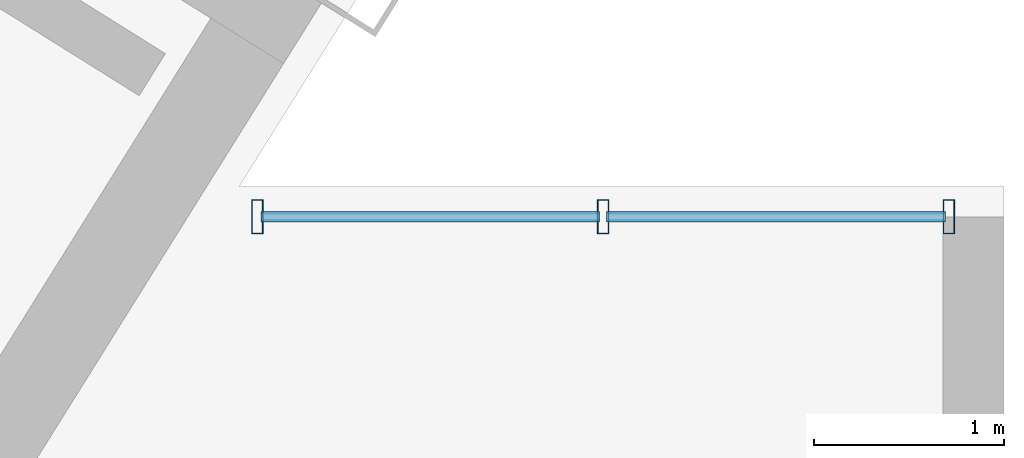
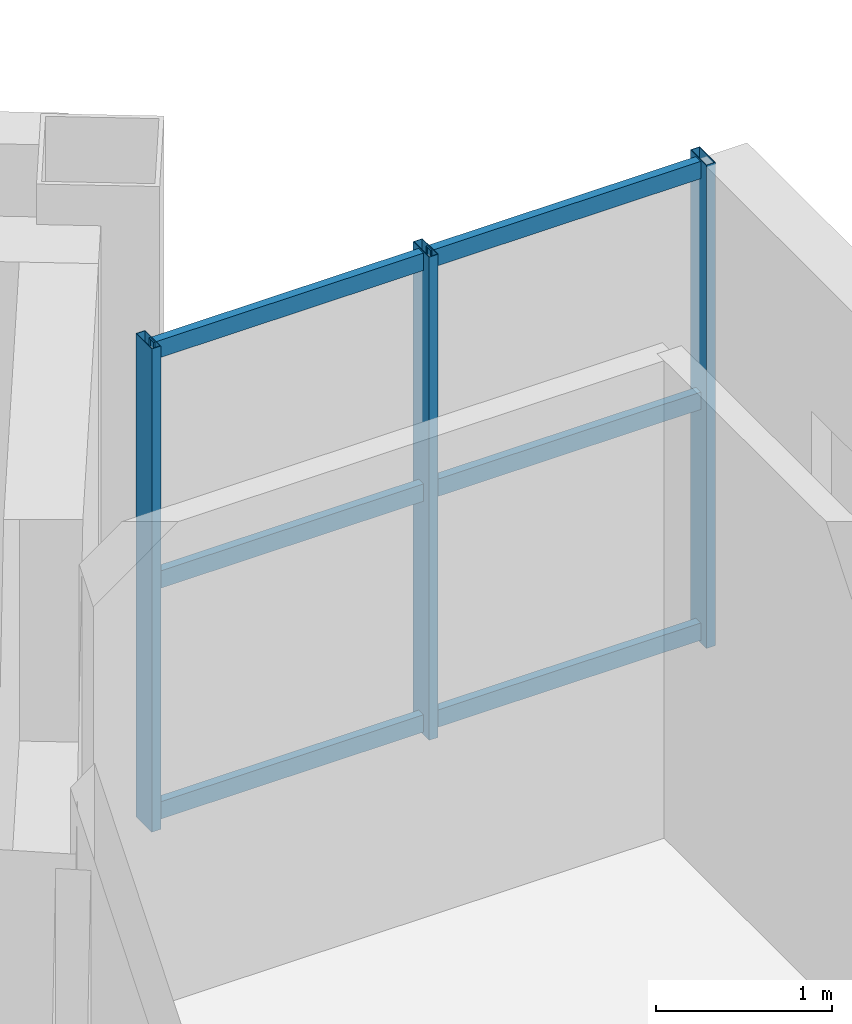
# One storey, part 5 of 13: 9 members, 1 element without a shape of its own.
"""IFC4 building model written with IfcOpenShell, lengths in metres."""

import ifcopenshell
import ifcopenshell.guid

model = None  # the IFC model being written
_history = None  # IfcOwnerHistory: only IFC2X3 demands one
_inside = {}  # id of a spatial element -> (the spatial element, [elements in it])
_under = {}  # id of a project, library or spatial element -> (it, [spatial elements below it])
_declared = {}  # id of a project -> (the project, [libraries it declares])
_typed = {}  # id of a type object -> (the type object, [elements of that type])
_made_of = {}  # id of a material, layer set ... -> (it, [elements and type objects made of it])


def new_model(schema):
    """Start an empty IFC model of exactly this schema.

    Asked for "IFC4X3", IfcOpenShell would pick the latest addendum, in which some entities
    have other attributes; the version numbers below select the first issue.
    IFC2X3 requires an IfcOwnerHistory on every rooted entity: one is made here for all.
    """
    global model, _history
    if schema == "IFC4X3":
        model = ifcopenshell.file(schema_version=(4, 3, 0, 0))
    else:
        model = ifcopenshell.file(schema=schema)
    _inside.clear()
    _under.clear()
    _declared.clear()
    _typed.clear()
    _made_of.clear()
    _history = None
    if model.schema == "IFC2X3":
        org = make("IfcOrganization", Name="unknown")
        user = make(
            "IfcPersonAndOrganization",
            ThePerson=make("IfcPerson", FamilyName="unknown"),
            TheOrganization=org,
        )
        app = make(
            "IfcApplication",
            ApplicationDeveloper=org,
            Version="unknown",
            ApplicationFullName="unknown",
            ApplicationIdentifier="unknown",
        )
        _history = make(
            "IfcOwnerHistory",
            OwningUser=user,
            OwningApplication=app,
            ChangeAction="ADDED",
            CreationDate=0,
        )
    return model


def make(cls, **values):
    """One entity of the class cls with the attributes given. An attribute that is None is left unset."""
    return model.create_entity(
        cls, **{name: value for name, value in values.items() if value is not None}
    )


def rooted(cls, **values):
    """An entity with a GlobalId (a new one), such as an element, a storey or a relation."""
    return make(cls, GlobalId=ifcopenshell.guid.new(), OwnerHistory=_history, **values)


def si_unit(unit_type, name, prefix=None):
    """IfcSIUnit, for example si_unit("LENGTHUNIT", "METRE", prefix="MILLI")."""
    return make("IfcSIUnit", UnitType=unit_type, Prefix=prefix, Name=name)


def assignment(units):
    """IfcUnitAssignment: the units of a project."""
    return None if units is None else make("IfcUnitAssignment", Units=units)


def point(xyz):
    """IfcCartesianPoint."""
    return None if xyz is None else make("IfcCartesianPoint", Coordinates=xyz)


def direction(xyz):
    """IfcDirection."""
    return None if xyz is None else make("IfcDirection", DirectionRatios=xyz)


def frame(location, z_axis=None, x_axis=None):
    """IfcAxis2Placement3D, a coordinate frame: its origin and axes. An axis left out is left unset."""
    return make(
        "IfcAxis2Placement3D",
        Location=point(location),
        Axis=direction(z_axis),
        RefDirection=direction(x_axis),
    )


def frame_2d(location, x_axis=None):
    """IfcAxis2Placement2D, a coordinate frame in the plane: its origin and x axis."""
    return make(
        "IfcAxis2Placement2D", Location=point(location), RefDirection=direction(x_axis)
    )


def origin():
    """The frame at (0, 0, 0) with its axes left unset."""
    return frame((0.0, 0.0, 0.0))


def origin_2d():
    """The frame at (0, 0) in the plane with its x axis left unset."""
    return frame_2d((0.0, 0.0))


def place(relative_to, where):
    """IfcLocalPlacement: puts the frame where relative to a parent placement (None: the world)."""
    return make(
        "IfcLocalPlacement", PlacementRelTo=relative_to, RelativePlacement=where
    )


def context(
    kind, dimensions, precision=None, world=None, true_north=None, identifier=None
):
    """IfcGeometricRepresentationContext, for example the 3D "Model" context."""
    return make(
        "IfcGeometricRepresentationContext",
        ContextIdentifier=identifier,
        ContextType=kind,
        CoordinateSpaceDimension=dimensions,
        Precision=precision,
        WorldCoordinateSystem=world,
        TrueNorth=true_north,
    )


def subcontext(parent, identifier, kind, view, scale=None):
    """IfcGeometricRepresentationSubContext, for example "Body" below "Model"."""
    return make(
        "IfcGeometricRepresentationSubContext",
        ContextIdentifier=identifier,
        ContextType=kind,
        ParentContext=parent,
        TargetScale=scale,
        TargetView=view,
    )


def project(units=None, contexts=None):
    """IfcProject with its units and contexts."""
    return rooted(
        "IfcProject",
        Name="project",
        RepresentationContexts=contexts,
        UnitsInContext=assignment(units),
    )


def spatial(cls, under=None, at=None, **own):
    """A site, building, storey or space (cls), placed at a placement, below another one or the project."""
    s = rooted(cls, ObjectPlacement=at, **own)
    if under is not None:
        _under.setdefault(under.id(), (under, []))[1].append(s)
    return s


def profile(cls, at=None, kind="AREA", **sizes):
    """A parametric profile (cls). Its sizes go by their IFC names, for example OverallWidth=200.0."""
    return make(cls, ProfileType=kind, Position=at, **sizes)


def hollow_rectangle(**sizes):
    """IfcRectangleHollowProfileDef."""
    return profile("IfcRectangleHollowProfileDef", **sizes)


def extrude(swept, where, along, depth):
    """IfcExtrudedAreaSolid: the profile swept, set in the frame where, extruded along a direction by depth."""
    return make(
        "IfcExtrudedAreaSolid",
        SweptArea=swept,
        Position=where,
        ExtrudedDirection=direction(along),
        Depth=depth,
    )


def shape(context_of_items, identifier, shape_type, items):
    """IfcShapeRepresentation: the items that make up one representation, for example the "Body"."""
    return make(
        "IfcShapeRepresentation",
        ContextOfItems=context_of_items,
        RepresentationIdentifier=identifier,
        RepresentationType=shape_type,
        Items=items,
    )


def source(mapping_origin, context_of_items, identifier, shape_type, items):
    """IfcRepresentationMap: a shape defined once, which mapped items show again and again."""
    return make(
        "IfcRepresentationMap",
        MappingOrigin=mapping_origin,
        MappedRepresentation=shape(context_of_items, identifier, shape_type, items),
    )


def transform(
    local_origin,
    x_axis=None,
    y_axis=None,
    z_axis=None,
    scale=None,
    scale2=None,
    scale3=None,
    uniform=True,
):
    """IfcCartesianTransformationOperator3D, or its non-uniform kind. x_axis, y_axis, z_axis: its Axis1, 2, 3."""
    if uniform:
        return make(
            "IfcCartesianTransformationOperator3D",
            Axis1=direction(x_axis),
            Axis2=direction(y_axis),
            LocalOrigin=point(local_origin),
            Scale=scale,
            Axis3=direction(z_axis),
        )
    return make(
        "IfcCartesianTransformationOperator3DnonUniform",
        Axis1=direction(x_axis),
        Axis2=direction(y_axis),
        LocalOrigin=point(local_origin),
        Scale=scale,
        Axis3=direction(z_axis),
        Scale2=scale2,
        Scale3=scale3,
    )


def mapped(mapping_source, mapping_target):
    """IfcMappedItem: shows the shape of a source again, moved by a transform."""
    return make(
        "IfcMappedItem", MappingSource=mapping_source, MappingTarget=mapping_target
    )


def material(Name=None, Category=None):
    """IfcMaterial."""
    return make("IfcMaterial", Name=Name, Category=Category)


def material_profile(
    of_material, cross_section, Name=None, Category=None, Priority=None
):
    """IfcMaterialProfile: a cross section and its material."""
    return make(
        "IfcMaterialProfile",
        Name=Name,
        Material=of_material,
        Profile=cross_section,
        Priority=Priority,
        Category=Category,
    )


def profile_set(profiles, Name=None, composite=None):
    """IfcMaterialProfileSet."""
    return make(
        "IfcMaterialProfileSet",
        Name=Name,
        MaterialProfiles=profiles,
        CompositeProfile=composite,
    )


def made_of(thing, what):
    """Note that an element or type object is made of a material, layer set ...; save() writes the relation."""
    if what is not None:
        _made_of.setdefault(what.id(), (what, []))[1].append(thing)
    return thing


def type_object(cls, material=None, **own):
    """A type object (cls), such as IfcWallType, which elements share."""
    return made_of(rooted(cls, **own), material)


def element(
    cls,
    number,
    at=None,
    inside=None,
    cuts=None,
    type_object=None,
    material=None,
    context=None,
    identifier="Body",
    shape_type=None,
    held_by="IfcProductDefinitionShape",
    body=None,
    shapes=None,
    **own,
):
    """One element of the class cls, such as IfcWall. Its Tag is "e" and its number.

    at: its placement. inside: the storey or other place that contains it. cuts: it is an
    opening in that element (IfcRelVoidsElement). A single representation is given by context,
    identifier, shape_type and body (its items); several are given by shapes. held_by: the class
    of the entity that holds the representations. save() writes the other relations.
    """
    e = rooted(cls, Tag="e%d" % number, ObjectPlacement=at, **own)
    if body is not None:
        shapes = [shape(context, identifier, shape_type, body)]
    if shapes is not None:
        e.Representation = make(held_by, Representations=shapes)
    if inside is not None:
        _inside.setdefault(inside.id(), (inside, []))[1].append(e)
    if cuts is not None:
        rooted(
            "IfcRelVoidsElement", RelatingBuildingElement=cuts, RelatedOpeningElement=e
        )
    if type_object is not None:
        _typed.setdefault(type_object.id(), (type_object, []))[1].append(e)
    return made_of(e, material)


def aggregate(whole, parts):
    """IfcRelAggregates: a whole, such as a stair, and the parts it consists of."""
    return rooted("IfcRelAggregates", RelatingObject=whole, RelatedObjects=parts)


def save(model, path):
    """Write the relations noted so far, then the file.

    IfcRelAggregates (storeys below a building ...), IfcRelContainedInSpatialStructure (elements
    in a storey), IfcRelDefinesByType, IfcRelAssociatesMaterial and IfcRelDeclares: one each for
    every whole, place, type object, material and project.
    """
    for whole, parts in _under.values():
        aggregate(whole, parts)
    for where, things in _inside.values():
        rooted(
            "IfcRelContainedInSpatialStructure",
            RelatedElements=things,
            RelatingStructure=where,
        )
    for kind, things in _typed.values():
        rooted("IfcRelDefinesByType", RelatedObjects=things, RelatingType=kind)
    for what, things in _made_of.values():
        rooted("IfcRelAssociatesMaterial", RelatedObjects=things, RelatingMaterial=what)
    for by, libraries in _declared.values():
        rooted("IfcRelDeclares", RelatingContext=by, RelatedDefinitions=libraries)
    model.write(path)


model = new_model("IFC4")

# Units and contexts
model_context = context("Model", 3, precision=1e-05, world=origin(), true_north=direction((0.0, 1.0)))
body_context = subcontext(model_context, "Body", "Model", "MODEL_VIEW")
ifc_project = project(units=[si_unit("LENGTHUNIT", "METRE"), si_unit("AREAUNIT", "SQUARE_METRE"), si_unit("VOLUMEUNIT", "CUBIC_METRE"), si_unit("PLANEANGLEUNIT", "RADIAN"), si_unit("MASSUNIT", "GRAM", prefix="KILO")], contexts=[model_context])

# Site, building, storey
site_placement = place(None, origin())
site = spatial("IfcSite", under=ifc_project, at=site_placement, CompositionType="ELEMENT")
building_placement = place(site_placement, origin())
building = spatial("IfcBuilding", under=site, at=building_placement, Name="Tlacorven Tower", CompositionType="ELEMENT")
storey_placement = place(building_placement, frame((0.0, 0.0, 295.199951171875)))
storey = spatial("IfcBuildingStorey", under=building, at=storey_placement, Name="L75", CompositionType="ELEMENT", Elevation=295.199951171875)

# Curtain wall, members
ifc_material_1 = material(Name="Dark solar low-E double glazing in aluminium frame", Category="aluminium")
curtain_wall_type = type_object("IfcCurtainWallType", Name="CW-TWR-HIGH", PredefinedType="USERDEFINED", material=ifc_material_1)
curtain_wall_placement = place(storey_placement, origin())
curtain_wall = element("IfcCurtainWall", 1, at=curtain_wall_placement, inside=storey, type_object=curtain_wall_type, Name="L75 CW-TWR-HIGH Curtain Wall 353", ObjectType="UNITISED CURTAIN WALL", PredefinedType="USERDEFINED")
ifc_material_2 = material(Name="Aluminium 6063-T6 anodised", Category="aluminium")
ifc_material_profile_1 = material_profile(ifc_material_2, hollow_rectangle(XDim=0.054931640625, YDim=0.1201171875, WallThickness=0.00341796875, at=origin_2d()), Name="ALU TRANSOM 55X120")
ifc_profile_set_1 = profile_set([ifc_material_profile_1], Name="Aluminium 6063-T6 anodised")
member_type_1 = type_object("IfcMemberType", Name="CWT-03", PredefinedType="USERDEFINED", material=ifc_profile_set_1)
shared_shape_1 = source(origin(), body_context, "Body", "SweptSolid", [
    extrude(hollow_rectangle(XDim=0.054931640625, YDim=0.1201171875, WallThickness=0.00341796875, at=origin_2d()), origin(), (0.0, 0.0, 1.0), 1.781982421875),
])
member_1_placement = place(storey_placement, frame((40.2919921875, 23.0400390625, 0.06005859375), z_axis=(1.0, 0.0, 0.0), x_axis=(0.0, 1.0, 0.0)))
member_1 = element("IfcMember", 2, at=member_1_placement, type_object=member_type_1, Name="CW-L75-353 Transom 1", ObjectType="TRANSOM", PredefinedType="USERDEFINED", context=body_context, shape_type="MappedRepresentation", body=[
    mapped(shared_shape_1, transform((0.0, 0.0, 0.0), scale=1.0)),
])
member_2_placement = place(storey_placement, frame((40.2919921875, 23.0400390625, 1.66015625), z_axis=(1.0, 0.0, 0.0), x_axis=(0.0, 1.0, 0.0)))
member_2 = element("IfcMember", 3, at=member_2_placement, type_object=member_type_1, Name="CW-L75-353 Transom 2", ObjectType="TRANSOM", PredefinedType="USERDEFINED", context=body_context, shape_type="MappedRepresentation", body=[
    mapped(shared_shape_1, transform((0.0, 0.0, 0.0), scale=1.0)),
])
member_3_placement = place(storey_placement, frame((40.2919921875, 23.0400390625, 3.260009765625), z_axis=(1.0, 0.0, 0.0), x_axis=(0.0, 1.0, 0.0)))
member_3 = element("IfcMember", 4, at=member_3_placement, type_object=member_type_1, Name="CW-L75-353 Transom 3", ObjectType="TRANSOM", PredefinedType="USERDEFINED", context=body_context, shape_type="MappedRepresentation", body=[
    mapped(shared_shape_1, transform((0.0, 0.0, 0.0), scale=1.0)),
])
shared_shape_2 = source(origin(), body_context, "Body", "SweptSolid", [
    extrude(hollow_rectangle(XDim=0.054931640625, YDim=0.1201171875, WallThickness=0.00341796875, at=origin_2d()), origin(), (0.0, 0.0, 1.0), 1.7822265625),
])
member_4_placement = place(storey_placement, frame((42.10986328125, 23.0400390625, 0.06005859375), z_axis=(1.0, 0.0, 0.0), x_axis=(0.0, 1.0, 0.0)))
member_4 = element("IfcMember", 5, at=member_4_placement, type_object=member_type_1, Name="CW-L75-353 Transom 4", ObjectType="TRANSOM", PredefinedType="USERDEFINED", context=body_context, shape_type="MappedRepresentation", body=[
    mapped(shared_shape_2, transform((0.0, 0.0, 0.0), scale=1.0)),
])
member_5_placement = place(storey_placement, frame((42.10986328125, 23.0400390625, 1.66015625), z_axis=(1.0, 0.0, 0.0), x_axis=(0.0, 1.0, 0.0)))
member_5 = element("IfcMember", 6, at=member_5_placement, type_object=member_type_1, Name="CW-L75-353 Transom 5", ObjectType="TRANSOM", PredefinedType="USERDEFINED", context=body_context, shape_type="MappedRepresentation", body=[
    mapped(shared_shape_2, transform((0.0, 0.0, 0.0), scale=1.0)),
])
member_6_placement = place(storey_placement, frame((42.10986328125, 23.0400390625, 3.260009765625), z_axis=(1.0, 0.0, 0.0), x_axis=(0.0, 1.0, 0.0)))
member_6 = element("IfcMember", 7, at=member_6_placement, type_object=member_type_1, Name="CW-L75-353 Transom 6", ObjectType="TRANSOM", PredefinedType="USERDEFINED", context=body_context, shape_type="MappedRepresentation", body=[
    mapped(shared_shape_2, transform((0.0, 0.0, 0.0), scale=1.0)),
])
ifc_material_profile_2 = material_profile(ifc_material_2, hollow_rectangle(XDim=0.06005859375, YDim=0.179931640625, WallThickness=0.00390625, at=origin_2d()), Name="ALU MULLION 60X180")
ifc_profile_set_2 = profile_set([ifc_material_profile_2], Name="Aluminium 6063-T6 anodised")
member_type_2 = type_object("IfcMemberType", Name="CWM-03", PredefinedType="MULLION", material=ifc_profile_set_2)
shared_shape_3 = source(origin(), body_context, "Body", "SweptSolid", [
    extrude(hollow_rectangle(XDim=0.06005859375, YDim=0.179931640625, WallThickness=0.00390625, at=origin_2d()), origin(), (0.0, 0.0, 1.0), 3.35009765625),
])
member_7_placement = place(storey_placement, frame((40.27392578125, 23.0400390625, -0.02001953125), z_axis=(0.0, 0.0, 1.0), x_axis=(1.0, 0.0, 0.0)))
member_7 = element("IfcMember", 8, at=member_7_placement, type_object=member_type_2, Name="CW-L75-353 Mullion 1", PredefinedType="MULLION", context=body_context, shape_type="MappedRepresentation", body=[
    mapped(shared_shape_3, transform((0.0, 0.0, 0.0), scale=1.0)),
])
member_8_placement = place(storey_placement, frame((42.092041015625, 23.0400390625, -0.02001953125), z_axis=(0.0, 0.0, 1.0), x_axis=(1.0, 0.0, 0.0)))
member_8 = element("IfcMember", 9, at=member_8_placement, type_object=member_type_2, Name="CW-L75-353 Mullion 2", PredefinedType="MULLION", context=body_context, shape_type="MappedRepresentation", body=[
    mapped(shared_shape_3, transform((0.0, 0.0, 0.0), scale=1.0)),
])
member_9_placement = place(storey_placement, frame((43.909912109375, 23.0400390625, -0.02001953125), z_axis=(0.0, 0.0, 1.0), x_axis=(1.0, 0.0, 0.0)))
member_9 = element("IfcMember", 10, at=member_9_placement, type_object=member_type_2, Name="CW-L75-353 Mullion 3", PredefinedType="MULLION", context=body_context, shape_type="MappedRepresentation", body=[
    mapped(shared_shape_3, transform((0.0, 0.0, 0.0), scale=1.0)),
])
aggregate(curtain_wall, [member_7, member_8, member_9, member_1, member_2, member_3, member_4, member_5, member_6])

save(model, "model.ifc")
